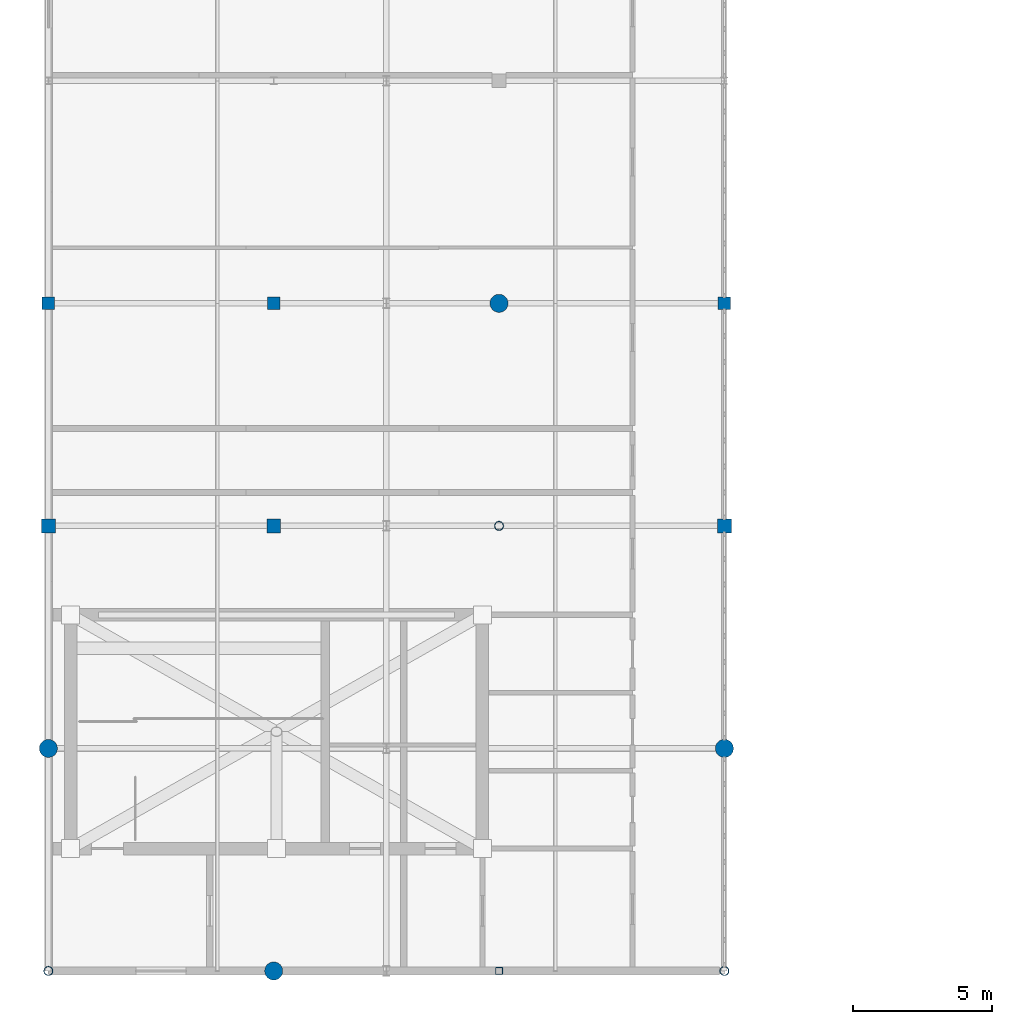
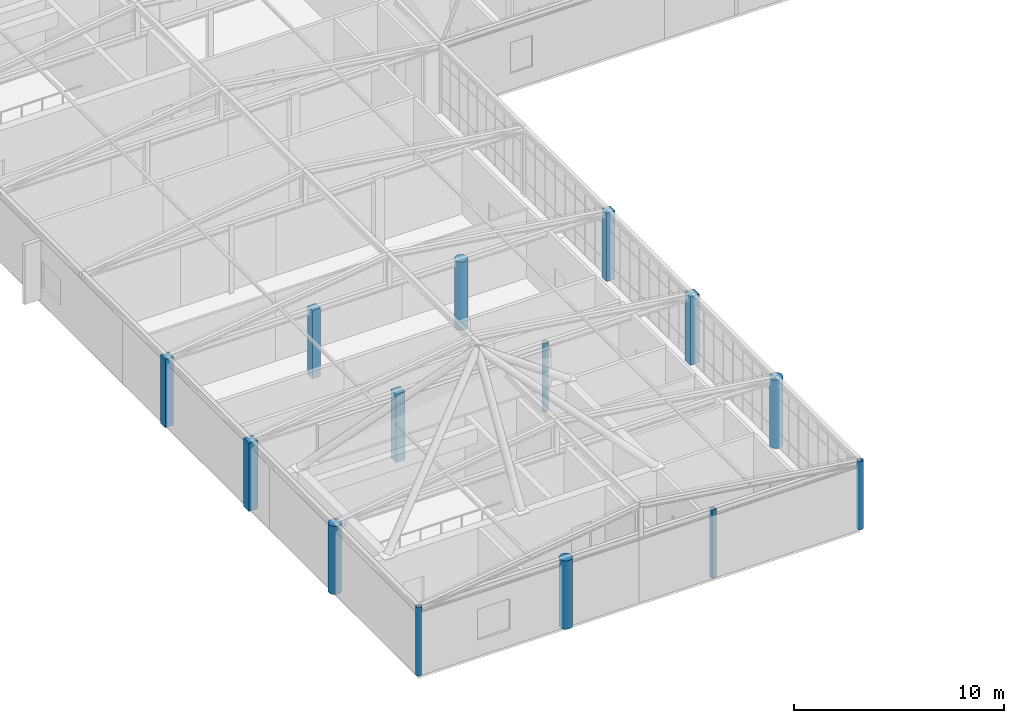
# One storey, part 1 of 21: 14 columns.
"""IFC4 building model written with IfcOpenShell, lengths in metres."""

from ifc_helpers import new_model, si_unit, direction, frame, origin, origin_2d, place, context, subcontext, project, spatial, rectangle, hollow_rectangle, circle, hollow_circle, extrude, material, material_profile, profile_set, type_object, element, save


model = new_model("IFC4")

# Units and contexts
model_context = context("Model", 3, precision=1e-05, world=origin(), true_north=direction((0.0, 1.0)))
body_context = subcontext(model_context, "Body", "Model", "MODEL_VIEW")
ifc_project = project(units=[si_unit("LENGTHUNIT", "METRE"), si_unit("AREAUNIT", "SQUARE_METRE"), si_unit("VOLUMEUNIT", "CUBIC_METRE"), si_unit("PLANEANGLEUNIT", "RADIAN"), si_unit("MASSUNIT", "GRAM", prefix="KILO")], contexts=[model_context])

# Site, building, storey
site_placement = place(None, origin())
site = spatial("IfcSite", under=ifc_project, at=site_placement, CompositionType="ELEMENT")
building_placement = place(site_placement, origin())
building = spatial("IfcBuilding", under=site, at=building_placement, Name="Tarnveldt Square Police Headquarters", CompositionType="ELEMENT")
storey_placement = place(building_placement, frame((0.0, 0.0, 33.300048828125)))
storey = spatial("IfcBuildingStorey", under=building, at=storey_placement, Name="L07", CompositionType="ELEMENT", Elevation=33.300048828125)

# Columns
ifc_material_1 = material(Name="Steel 350W", Category="steel")
ifc_material_profile_1 = material_profile(ifc_material_1, hollow_circle(Radius=0.161865234375, WallThickness=0.0126953125, at=origin_2d()), Name="HSS324x13")
ifc_profile_set_1 = profile_set([ifc_material_profile_1], Name="Steel 350W")
column_type_1 = type_object("IfcColumnType", Name="COL-CHS324x13", PredefinedType="COLUMN", material=ifc_profile_set_1)
for number, where, z_axis, x_axis, name in (
    (1, (16.199951171875, 56.0, 0.0), (0.0, 0.0, 1.0), (1.0, 0.0, 0.0), "L07 Column 020"),
    (2, (32.39990234375, 72.0, 0.0), (0.0, 0.0, 1.0), (1.0, 0.0, 0.0), "L07 Column 050"),
    (3, (40.5, 56.0, 0.0), (0.0, 0.0, 1.0), (1.0, 0.0, 0.0), "L07 Column 062"),
):
    element("IfcColumn", number, at=place(storey_placement, frame(where, z_axis=z_axis, x_axis=x_axis)), inside=storey, type_object=column_type_1, Name=name, PredefinedType="COLUMN", context=body_context, shape_type="SweptSolid", body=[
        extrude(hollow_circle(Radius=0.161865234375, WallThickness=0.0126953125, at=origin_2d()), origin(), (0.0, 0.0, 1.0), 3.97998046875),
    ])
ifc_material_2 = material(Name="Concrete 40 MPa", Category="concrete")
ifc_material_profile_2 = material_profile(ifc_material_2, circle(Radius=0.324951171875, at=origin_2d()), Name="RC-D650")
ifc_profile_set_2 = profile_set([ifc_material_profile_2], Name="Concrete 40 MPa")
column_type_2 = type_object("IfcColumnType", Name="COL-D650", PredefinedType="COLUMN", material=ifc_profile_set_2)
for number, where, z_axis, x_axis, name in (
    (4, (16.199951171875, 64.0, 0.0), (0.0, 0.0, 1.0), (1.0, 0.0, 0.0), "L07 Column 021"),
    (5, (24.300048828125, 56.0, 0.0), (0.0, 0.0, 1.0), (1.0, 0.0, 0.0), "L07 Column 033"),
    (6, (32.39990234375, 80.0, 0.0), (0.0, 0.0, 1.0), (1.0, 0.0, 0.0), "L07 Column 051"),
    (7, (40.5, 64.0, 0.0), (0.0, 0.0, 1.0), (1.0, 0.0, 0.0), "L07 Column 063"),
):
    element("IfcColumn", number, at=place(storey_placement, frame(where, z_axis=z_axis, x_axis=x_axis)), inside=storey, type_object=column_type_2, Name=name, PredefinedType="COLUMN", context=body_context, shape_type="SweptSolid", body=[
        extrude(circle(Radius=0.324951171875, at=origin_2d()), origin(), (0.0, 0.0, 1.0), 3.97998046875),
    ])
ifc_material_profile_3 = material_profile(ifc_material_1, hollow_rectangle(XDim=0.25390625, YDim=0.25390625, WallThickness=0.0126953125, InnerFilletRadius=0.0126953125, OuterFilletRadius=0.025390625, at=origin_2d()), Name="HSS254x254x13")
ifc_profile_set_3 = profile_set([ifc_material_profile_3], Name="Steel 350W")
column_type_3 = type_object("IfcColumnType", Name="COL-HSS254x13", PredefinedType="COLUMN", material=ifc_profile_set_3)
column_placement = place(storey_placement, frame((32.39990234375, 56.0, 0.0), z_axis=(0.0, 0.0, 1.0), x_axis=(1.0, 0.0, 0.0)))
element("IfcColumn", 8, at=column_placement, inside=storey, type_object=column_type_3, Name="L07 Column 049", PredefinedType="COLUMN", context=body_context, shape_type="SweptSolid", body=[
    extrude(hollow_rectangle(XDim=0.25390625, YDim=0.25390625, WallThickness=0.0126953125, InnerFilletRadius=0.0126953125, OuterFilletRadius=0.025390625, at=origin_2d()), origin(), (0.0, 0.0, 1.0), 3.97998046875),
])
ifc_material_profile_4 = material_profile(ifc_material_2, rectangle(XDim=0.449951171875, YDim=0.449951171875, at=origin_2d()), Name="RC-C450x450")
ifc_profile_set_4 = profile_set([ifc_material_profile_4], Name="Concrete 40 MPa")
column_type_4 = type_object("IfcColumnType", Name="COL-RC450", PredefinedType="COLUMN", material=ifc_profile_set_4)
for number, where, z_axis, x_axis, name in (
    (9, (16.199951171875, 80.0, 0.0), (0.0, 0.0, 1.0), (1.0, 0.0, 0.0), "L07 Column 023"),
    (10, (24.300048828125, 80.0, 0.0), (0.0, 0.0, 1.0), (1.0, 0.0, 0.0), "L07 Column 035"),
    (11, (40.5, 80.0, 0.0), (0.0, 0.0, 1.0), (1.0, 0.0, 0.0), "L07 Column 065"),
):
    element("IfcColumn", number, at=place(storey_placement, frame(where, z_axis=z_axis, x_axis=x_axis)), inside=storey, type_object=column_type_4, Name=name, PredefinedType="COLUMN", context=body_context, shape_type="SweptSolid", body=[
        extrude(rectangle(XDim=0.449951171875, YDim=0.449951171875, at=origin_2d()), origin(), (0.0, 0.0, 1.0), 3.97998046875),
    ])
ifc_material_profile_5 = material_profile(ifc_material_2, rectangle(XDim=0.5, YDim=0.5, at=origin_2d()), Name="RC-C500x500")
ifc_profile_set_5 = profile_set([ifc_material_profile_5], Name="Concrete 40 MPa")
column_type_5 = type_object("IfcColumnType", Name="COL-RC500", PredefinedType="COLUMN", material=ifc_profile_set_5)
for number, where, z_axis, x_axis, name in (
    (12, (16.199951171875, 72.0, 0.0), (0.0, 0.0, 1.0), (1.0, 0.0, 0.0), "L07 Column 022"),
    (13, (24.300048828125, 72.0, 0.0), (0.0, 0.0, 1.0), (1.0, 0.0, 0.0), "L07 Column 034"),
    (14, (40.5, 72.0, 0.0), (0.0, 0.0, 1.0), (1.0, 0.0, 0.0), "L07 Column 064"),
):
    element("IfcColumn", number, at=place(storey_placement, frame(where, z_axis=z_axis, x_axis=x_axis)), inside=storey, type_object=column_type_5, Name=name, PredefinedType="COLUMN", context=body_context, shape_type="SweptSolid", body=[
        extrude(rectangle(XDim=0.5, YDim=0.5, at=origin_2d()), origin(), (0.0, 0.0, 1.0), 3.97998046875),
    ])

save(model, "model.ifc")
